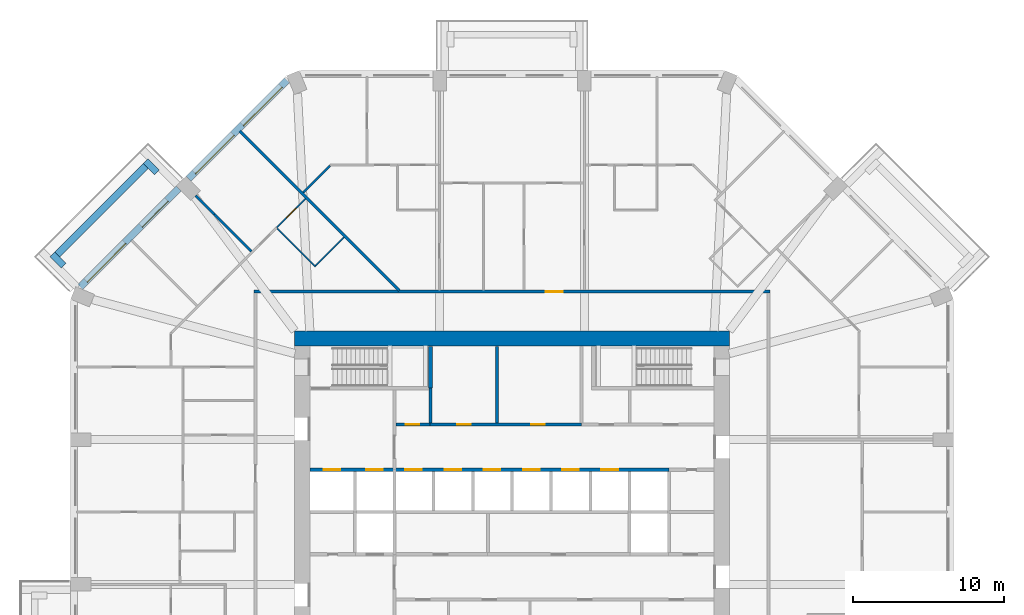
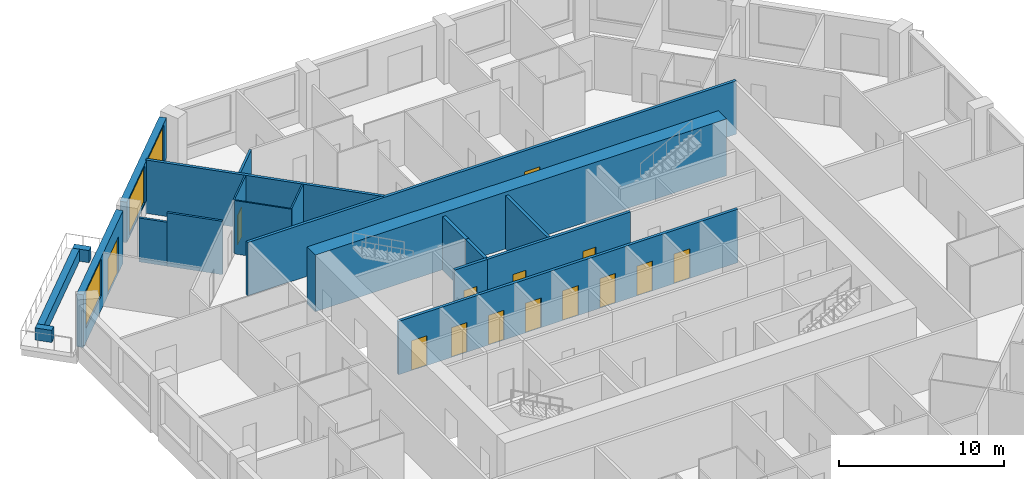
# One storey, part 8 of 13: 20 walls, 14 doors, 3 windows, 17 openings.
"""IFC4 building model written with IfcOpenShell, lengths in metres."""

from ifc_helpers import new_model, si_unit, direction, frame, frame_2d, origin, place, context, subcontext, project, spatial, rectangle, extrude, material, layer, layer_set, type_object, element, fill, save


model = new_model("IFC4")

# Units and contexts
model_context = context("Model", 3, precision=1e-05, world=origin(), true_north=direction((0.0, 1.0)))
body_context = subcontext(model_context, "Body", "Model", "MODEL_VIEW")
ifc_project = project(units=[si_unit("LENGTHUNIT", "METRE"), si_unit("AREAUNIT", "SQUARE_METRE"), si_unit("VOLUMEUNIT", "CUBIC_METRE"), si_unit("PLANEANGLEUNIT", "RADIAN"), si_unit("MASSUNIT", "GRAM", prefix="KILO")], contexts=[model_context])

# Site, building, storey
site_placement = place(None, origin())
site = spatial("IfcSite", under=ifc_project, at=site_placement, CompositionType="ELEMENT")
building_placement = place(site_placement, origin())
building = spatial("IfcBuilding", under=site, at=building_placement, Name="Msitu Wima Residences", CompositionType="ELEMENT")
storey_placement = place(building_placement, frame((0.0, 0.0, 84.300048828125)))
storey = spatial("IfcBuildingStorey", under=building, at=storey_placement, Name="L19", CompositionType="ELEMENT", Elevation=84.300048828125)

# Walls
ifc_material_1 = material(Name="Facing brick")
ifc_layer_1 = layer(ifc_material_1, 0.06494140625, Name="Facing brick")
ifc_material_2 = material(Name="Concrete C40/50", Category="concrete")
ifc_layer_2 = layer(ifc_material_2, 0.156005859375, Name="Concrete C40/50")
ifc_material_3 = material(Name="Waterproofing membrane")
ifc_layer_3 = layer(ifc_material_3, 0.00390625, Name="Waterproofing membrane")
ifc_material_4 = material(Name="Planting soil and planting")
ifc_layer_4 = layer(ifc_material_4, 0.22509765625, Name="Planting soil and planting")
ifc_layer_set_1 = layer_set([ifc_layer_1, ifc_layer_2, ifc_layer_3, ifc_layer_4], Name="Concrete C40/50")
wall_type_1 = type_object("IfcWallType", Name="Balcony planter PLANTER PL450", PredefinedType="USERDEFINED", material=ifc_layer_set_1)
wall_1_placement = place(storey_placement, frame((-24.269287109375, 22.92578125, 0.0), z_axis=(0.0, 0.0, 1.0), x_axis=(-0.707106781187, -0.707106781187, 0.0)))
element("IfcWall", 1, at=wall_1_placement, inside=storey, type_object=wall_type_1, Name="Balcony planter NW1 L19", ObjectType="PLANTER", PredefinedType="USERDEFINED", context=body_context, shape_type="SweptSolid", body=[
    extrude(rectangle(XDim=8.2822265625, YDim=0.449951171875, at=frame_2d((4.14111328125, 0.0))), origin(), (0.0, 0.0, 1.0), 0.89990234375),
])
for number, where, z_axis, x_axis, name in (
    (2, (-23.52685546875, 22.50146484375, 0.0), (0.0, 0.0, 1.0), (-0.706990528533, 0.707223014731, 0.0), "Balcony planter NW1 L19"),
    (3, (-29.70166015625, 16.326904296875, 0.0), (0.0, 0.0, 1.0), (-0.707106781187, 0.707106781187, 0.0), "Balcony planter NW1 L19"),
):
    element("IfcWall", number, at=place(storey_placement, frame(where, z_axis=z_axis, x_axis=x_axis)), inside=storey, type_object=wall_type_1, Name=name, ObjectType="PLANTER", PredefinedType="USERDEFINED", context=body_context, shape_type="SweptSolid", body=[
        extrude(rectangle(XDim=1.050048828125, YDim=0.449951171875, at=frame_2d((0.52490234375, 0.0))), origin(), (0.0, 0.0, 1.0), 0.89990234375),
    ])

# Wall, openings, windows
ifc_material_5 = material(Name="Brick (red buff mix)", Category="masonry")
ifc_layer_5 = layer(ifc_material_5, 0.449951171875)
ifc_layer_set_2 = layer_set([ifc_layer_5], Name="Brick (red buff mix)")
wall_type_2 = type_object("IfcWallType", Name="Brick infill wall BW450", PredefinedType="SOLIDWALL", material=ifc_layer_set_2)
wall_2_placement = place(storey_placement, frame((-14.903564453125, 28.61474609375, 0.89990234375), z_axis=(0.0, 0.0, 1.0), x_axis=(-0.707106781187, -0.707106781187, 0.0)))
wall_2 = element("IfcWall", 4, at=wall_2_placement, inside=storey, type_object=wall_type_2, Name="Brick infill wall L19 NW0", PredefinedType="SOLIDWALL", context=body_context, shape_type="SweptSolid", body=[
    extrude(rectangle(XDim=9.2451171875, YDim=0.449951171875, at=frame_2d((4.62255859375, 0.0))), origin(), (0.0, 0.0, 1.0), 3.0),
])
opening_1_placement = place(wall_2_placement, frame((0.572509765625, 0.0, 0.14990234375)))
opening_1 = element("IfcOpeningElement", 5, at=opening_1_placement, cuts=wall_2, Name="Opening W18-20.014", PredefinedType="OPENING", context=body_context, shape_type="SweptSolid", body=[
    extrude(rectangle(XDim=3.60009765625, YDim=2.699951171875, at=frame_2d((1.800048828125, 1.35009765625))), frame((0.0, 0.23486328125, 0.0), z_axis=(0.0, -1.0, 0.0), x_axis=(1.0, 0.0, 0.0)), (0.0, 0.0, 1.0), 0.469970703125),
])
opening_2_placement = place(wall_2_placement, frame((5.072509765625, 0.0, 0.14990234375)))
opening_2 = element("IfcOpeningElement", 6, at=opening_2_placement, cuts=wall_2, Name="Opening W18-20.015", PredefinedType="OPENING", context=body_context, shape_type="SweptSolid", body=[
    extrude(rectangle(XDim=3.60009765625, YDim=2.699951171875, at=frame_2d((1.800048828125, 1.35009765625))), frame((0.0, 0.23486328125, 0.0), z_axis=(0.0, -1.0, 0.0), x_axis=(1.0, 0.0, 0.0)), (0.0, 0.0, 1.0), 0.469970703125),
])
ifc_material_6 = material(Name="Anodised aluminium, bronze finish, clear low-emissivity double glazing", Category="aluminium")
window_type = type_object("IfcWindowType", Name="Window W3600x2700", PartitioningType="DOUBLE_PANEL_VERTICAL", PredefinedType="WINDOW", material=ifc_material_6)
window_1_placement = place(opening_1_placement, origin())
window_1 = element("IfcWindow", 7, at=window_1_placement, inside=storey, type_object=window_type, Name="Window L19 NW0.1", OverallHeight=2.699951171875, OverallWidth=3.60009765625, PartitioningType="SINGLE_PANEL", PredefinedType="WINDOW", context=body_context, shape_type="SweptSolid", body=[
    extrude(rectangle(XDim=3.60009765625, YDim=2.699951171875, at=frame_2d((1.800048828125, 1.35009765625))), frame((0.0, 0.135009765625, 0.0), z_axis=(0.0, -1.0, 0.0), x_axis=(1.0, 0.0, 0.0)), (0.0, 0.0, 1.0), 0.06005859375),
])
fill(opening_1, window_1)
window_2_placement = place(opening_2_placement, origin())
window_2 = element("IfcWindow", 8, at=window_2_placement, inside=storey, type_object=window_type, Name="Window L19 NW0.2", OverallHeight=2.699951171875, OverallWidth=3.60009765625, PartitioningType="SINGLE_PANEL", PredefinedType="WINDOW", context=body_context, shape_type="SweptSolid", body=[
    extrude(rectangle(XDim=3.60009765625, YDim=2.699951171875, at=frame_2d((1.800048828125, 1.35009765625))), frame((0.0, 0.135009765625, 0.0), z_axis=(0.0, -1.0, 0.0), x_axis=(1.0, 0.0, 0.0)), (0.0, 0.0, 1.0), 0.06005859375),
])
fill(opening_2, window_2)

# Wall, openings, door, window
wall_3_placement = place(storey_placement, frame((-22.077392578125, 21.44091796875, 0.0), z_axis=(0.0, 0.0, 1.0), x_axis=(-0.707106781187, -0.707106781187, 0.0)))
wall_3 = element("IfcWall", 9, at=wall_3_placement, inside=storey, type_object=wall_type_2, Name="Brick infill wall L19 NW1", PredefinedType="SOLIDWALL", context=body_context, shape_type="SweptSolid", body=[
    extrude(rectangle(XDim=9.2451171875, YDim=0.449951171875, at=frame_2d((4.62255859375, 0.0))), origin(), (0.0, 0.0, 1.0), 3.89990234375),
])
opening_3_placement = place(wall_3_placement, frame((1.111328125, 0.0, 0.0)))
opening_3 = element("IfcOpeningElement", 10, at=opening_3_placement, cuts=wall_3, Name="Opening D18-20.004", PredefinedType="OPENING", context=body_context, shape_type="SweptSolid", body=[
    extrude(rectangle(XDim=2.39990234375, YDim=2.699951171875, at=frame_2d((1.199951171875, 1.35009765625))), frame((0.0, 0.23486328125, 0.0), z_axis=(0.0, -1.0, 0.0), x_axis=(1.0, 0.0, 0.0)), (0.0, 0.0, 1.0), 0.469970703125),
])
opening_4_placement = place(wall_3_placement, frame((5.072509765625, 0.0, 1.050048828125)))
opening_4 = element("IfcOpeningElement", 11, at=opening_4_placement, cuts=wall_3, Name="Opening W18-20.016", PredefinedType="OPENING", context=body_context, shape_type="SweptSolid", body=[
    extrude(rectangle(XDim=3.60009765625, YDim=2.699951171875, at=frame_2d((1.800048828125, 1.35009765625))), frame((0.0, 0.23486328125, 0.0), z_axis=(0.0, -1.0, 0.0), x_axis=(1.0, 0.0, 0.0)), (0.0, 0.0, 1.0), 0.469970703125),
])
door_type_1 = type_object("IfcDoorType", Name="Balcony door D2400x2700", OperationType="SLIDING_TO_LEFT", PredefinedType="DOOR", material=ifc_material_6)
door_1_placement = place(opening_3_placement, origin())
door_1 = element("IfcDoor", 12, at=door_1_placement, inside=storey, type_object=door_type_1, Name="Balcony door L19 NW1", OperationType="SINGLE_SWING_LEFT", OverallHeight=2.699951171875, OverallWidth=2.39990234375, PredefinedType="DOOR", context=body_context, shape_type="SweptSolid", body=[
    extrude(rectangle(XDim=2.39990234375, YDim=2.699951171875, at=frame_2d((1.199951171875, 1.35009765625))), frame((0.0, 0.1298828125, 0.0), z_axis=(0.0, -1.0, 0.0), x_axis=(1.0, 0.0, 0.0)), (0.0, 0.0, 1.0), 0.050048828125),
])
fill(opening_3, door_1)
window_3_placement = place(opening_4_placement, origin())
window_3 = element("IfcWindow", 13, at=window_3_placement, inside=storey, type_object=window_type, Name="Window L19 NW1.2", OverallHeight=2.699951171875, OverallWidth=3.60009765625, PartitioningType="SINGLE_PANEL", PredefinedType="WINDOW", context=body_context, shape_type="SweptSolid", body=[
    extrude(rectangle(XDim=3.60009765625, YDim=2.699951171875, at=frame_2d((1.800048828125, 1.35009765625))), frame((0.0, 0.135009765625, 0.0), z_axis=(0.0, -1.0, 0.0), x_axis=(1.0, 0.0, 0.0)), (0.0, 0.0, 1.0), 0.06005859375),
])
fill(opening_4, window_3)

# Wall
ifc_material_7 = material(Name="Concrete C80/95", Category="concrete")
ifc_layer_6 = layer(ifc_material_7, 1.0)
ifc_layer_set_3 = layer_set([ifc_layer_6], Name="Concrete C80/95")
wall_type_3 = type_object("IfcWallType", Name="Core wall CW1000 C80/95", PredefinedType="SHEAR", material=ifc_layer_set_3)
wall_4_placement = place(storey_placement, frame((-14.39990234375, 11.5, 0.0), z_axis=(0.0, 0.0, 1.0), x_axis=(1.0, 0.0, 0.0)))
element("IfcWall", 14, at=wall_4_placement, inside=storey, type_object=wall_type_3, Name="Core wall", PredefinedType="SHEAR", context=body_context, shape_type="SweptSolid", body=[
    extrude(rectangle(XDim=28.7998046875, YDim=1.0, at=frame_2d((14.39990234375, 0.0))), origin(), (0.0, 0.0, 1.0), 4.199951171875),
])

# Wall, opening, door
ifc_material_8 = material(Name="Plaster")
ifc_layer_7 = layer(ifc_material_8, 0.011962890625, Name="Plaster")
ifc_material_9 = material(Name="Concrete blockwork", Category="masonry")
ifc_layer_8 = layer(ifc_material_9, 0.176025390625, Name="Concrete blockwork")
ifc_layer_9 = layer(ifc_material_8, 0.011962890625, Name="Plaster")
ifc_layer_set_4 = layer_set([ifc_layer_7, ifc_layer_8, ifc_layer_9], Name="Concrete blockwork")
wall_type_4 = type_object("IfcWallType", Name="Corridor wall FW200", PredefinedType="PARTITIONING", material=ifc_layer_set_4)
wall_5_placement = place(storey_placement, frame((-17.10009765625, 14.60009765625, 0.0), z_axis=(0.0, 0.0, 1.0), x_axis=(1.0, 0.0, 0.0)))
wall_5 = element("IfcWall", 15, at=wall_5_placement, inside=storey, type_object=wall_type_4, Name="Corridor wall", PredefinedType="PARTITIONING", context=body_context, shape_type="SweptSolid", body=[
    extrude(rectangle(XDim=34.2001953125, YDim=0.199951171875, at=frame_2d((17.10009765625, 0.0))), origin(), (0.0, 0.0, 1.0), 3.949951171875),
])
opening_5_placement = place(wall_5_placement, frame((19.35009765625, 0.0, 0.0)))
opening_5 = element("IfcOpeningElement", 16, at=opening_5_placement, cuts=wall_5, Name="Opening D18-20.008", PredefinedType="OPENING", context=body_context, shape_type="SweptSolid", body=[
    extrude(rectangle(XDim=1.10009765625, YDim=2.39990234375, at=frame_2d((0.550048828125, 1.199951171875))), frame((0.0, 0.10986328125, 0.0), z_axis=(0.0, -1.0, 0.0), x_axis=(1.0, 0.0, 0.0)), (0.0, 0.0, 1.0), 0.219970703125),
])
ifc_material_10 = material(Name="Timber flush door, fire resisting, self-closing", Category="wood")
door_type_2 = type_object("IfcDoorType", Name="Flat entrance door D01 1100x2400", OperationType="SINGLE_SWING_LEFT", PredefinedType="DOOR", material=ifc_material_10)
door_2_placement = place(opening_5_placement, origin())
door_2 = element("IfcDoor", 17, at=door_2_placement, inside=storey, type_object=door_type_2, Name="Flat entrance door", OperationType="SINGLE_SWING_RIGHT", OverallHeight=2.39990234375, OverallWidth=1.10009765625, PredefinedType="DOOR", context=body_context, shape_type="SweptSolid", body=[
    extrude(rectangle(XDim=1.10009765625, YDim=2.39990234375, at=frame_2d((0.550048828125, 1.199951171875))), frame((0.0, 0.02490234375, 0.0), z_axis=(0.0, -1.0, 0.0), x_axis=(1.0, 0.0, 0.0)), (0.0, 0.0, 1.0), 0.050048828125),
])
fill(opening_5, door_2)

wall_6_placement = place(storey_placement, frame((-7.699951171875, 5.800048828125, 0.0), z_axis=(0.0, 0.0, 1.0), x_axis=(1.0, 0.0, 0.0)))
wall_6 = element("IfcWall", 18, at=wall_6_placement, inside=storey, type_object=wall_type_4, Name="Corridor wall", PredefinedType="PARTITIONING", context=body_context, shape_type="SweptSolid", body=[
    extrude(rectangle(XDim=2.280029296875, YDim=0.199951171875, at=frame_2d((1.14013671875, 0.0))), origin(), (0.0, 0.0, 1.0), 3.949951171875),
])
opening_6_placement = place(wall_6_placement, frame((0.64990234375, 0.0, 0.0)))
opening_6 = element("IfcOpeningElement", 19, at=opening_6_placement, cuts=wall_6, Name="Opening D18-20.016", PredefinedType="OPENING", context=body_context, shape_type="SweptSolid", body=[
    extrude(rectangle(XDim=0.89990234375, YDim=2.199951171875, at=frame_2d((0.449951171875, 1.10009765625))), frame((0.0, 0.10986328125, 0.0), z_axis=(0.0, -1.0, 0.0), x_axis=(1.0, 0.0, 0.0)), (0.0, 0.0, 1.0), 0.219970703125),
])
ifc_material_11 = material(Name="Timber flush door", Category="wood")
door_type_3 = type_object("IfcDoorType", Name="Service door D05 900x2200", OperationType="SINGLE_SWING_LEFT", PredefinedType="DOOR", material=ifc_material_11)
door_3_placement = place(opening_6_placement, origin())
door_3 = element("IfcDoor", 20, at=door_3_placement, inside=storey, type_object=door_type_3, Name="Service door", OperationType="SINGLE_SWING_LEFT", OverallHeight=2.199951171875, OverallWidth=0.89990234375, PredefinedType="DOOR", context=body_context, shape_type="SweptSolid", body=[
    extrude(rectangle(XDim=0.89990234375, YDim=2.199951171875, at=frame_2d((0.449951171875, 1.10009765625))), frame((0.0, 0.02490234375, 0.0), z_axis=(0.0, -1.0, 0.0), x_axis=(1.0, 0.0, 0.0)), (0.0, 0.0, 1.0), 0.050048828125),
])
fill(opening_6, door_3)

# Walls
ifc_layer_10 = layer(ifc_material_8, 0.011962890625, Name="Plaster")
ifc_layer_11 = layer(ifc_material_9, 0.1259765625, Name="Concrete blockwork")
ifc_layer_12 = layer(ifc_material_8, 0.011962890625, Name="Plaster")
ifc_layer_set_5 = layer_set([ifc_layer_10, ifc_layer_11, ifc_layer_12], Name="Concrete blockwork")
wall_type_5 = type_object("IfcWallType", Name="Partition PW150", PredefinedType="PARTITIONING", material=ifc_layer_set_5)
wall_7_placement = place(storey_placement, frame((-20.963623046875, 20.963623046875, 0.0), z_axis=(0.0, 0.0, 1.0), x_axis=(0.707106781187, -0.707106781187, 0.0)))
element("IfcWall", 21, at=wall_7_placement, inside=storey, type_object=wall_type_5, Name="Partition", PredefinedType="PARTITIONING", context=body_context, shape_type="SweptSolid", body=[
    extrude(rectangle(XDim=1.74853515625, YDim=0.14990234375, at=frame_2d((0.874267578125, 0.0))), origin(), (0.0, 0.0, 1.0), 3.25),
])
wall_8_placement = place(storey_placement, frame((-19.727294921875, 19.727294921875, 0.0), z_axis=(0.0, 0.0, 1.0), x_axis=(0.707106781187, -0.707106781187, 0.0)))
element("IfcWall", 22, at=wall_8_placement, inside=storey, type_object=wall_type_5, Name="Partition", PredefinedType="PARTITIONING", context=body_context, shape_type="SweptSolid", body=[
    extrude(rectangle(XDim=3.4765625, YDim=0.14990234375, at=frame_2d((1.73828125, 0.0))), origin(), (0.0, 0.0, 1.0), 3.949951171875),
])
wall_9_placement = place(storey_placement, frame((-13.828125, 21.16943359375, 0.0), z_axis=(0.0, 0.0, 1.0), x_axis=(0.707106781187, 0.707106781187, 0.0)))
element("IfcWall", 23, at=wall_9_placement, inside=storey, type_object=wall_type_5, Name="Partition", PredefinedType="PARTITIONING", context=body_context, shape_type="SweptSolid", body=[
    extrude(rectangle(XDim=2.513916015625, YDim=0.14990234375, at=frame_2d((1.2568359375, 0.0))), origin(), (0.0, 0.0, 1.0), 3.949951171875),
])
ifc_layer_13 = layer(ifc_material_8, 0.011962890625, Name="Plaster")
ifc_material_12 = material(Name="Dense concrete blockwork", Category="masonry")
ifc_layer_14 = layer(ifc_material_12, 0.176025390625, Name="Dense concrete blockwork")
ifc_layer_15 = layer(ifc_material_8, 0.011962890625, Name="Plaster")
ifc_layer_set_6 = layer_set([ifc_layer_13, ifc_layer_14, ifc_layer_15], Name="Dense concrete blockwork")
wall_type_6 = type_object("IfcWallType", Name="Party wall PW200", PredefinedType="PARTITIONING", material=ifc_layer_set_6)
wall_10_placement = place(storey_placement, frame((-18.038818359375, 25.23876953125, 0.0), z_axis=(0.0, 0.0, 1.0), x_axis=(0.707106781187, -0.707106781187, 0.0)))
element("IfcWall", 24, at=wall_10_placement, inside=storey, type_object=wall_type_6, Name="Party wall", PredefinedType="PARTITIONING", context=body_context, shape_type="SweptSolid", body=[
    extrude(rectangle(XDim=14.945556640625, YDim=0.199951171875, at=frame_2d((7.47265625, 0.0))), origin(), (0.0, 0.0, 1.0), 3.949951171875),
])

# Wall, openings, doors
ifc_layer_16 = layer(ifc_material_8, 0.011962890625, Name="Plaster")
ifc_material_13 = material(Name="Reinforced concrete blockwork", Category="masonry")
ifc_layer_17 = layer(ifc_material_13, 0.176025390625, Name="Reinforced concrete blockwork")
ifc_layer_18 = layer(ifc_material_8, 0.011962890625, Name="Plaster")
ifc_layer_set_7 = layer_set([ifc_layer_16, ifc_layer_17, ifc_layer_18], Name="Reinforced concrete blockwork")
wall_type_7 = type_object("IfcWallType", Name="Plant and riser wall PL200", PredefinedType="PARTITIONING", material=ifc_layer_set_7)
wall_11_placement = place(storey_placement, frame((-5.419921875, 5.800048828125, 0.0), z_axis=(0.0, 0.0, 1.0), x_axis=(1.0, 0.0, 0.0)))
wall_11 = element("IfcWall", 25, at=wall_11_placement, inside=storey, type_object=wall_type_7, Name="Plant and riser wall", PredefinedType="PARTITIONING", context=body_context, shape_type="SweptSolid", body=[
    extrude(rectangle(XDim=10.0400390625, YDim=0.199951171875, at=frame_2d((5.02001953125, 0.0))), origin(), (0.0, 0.0, 1.0), 3.949951171875),
])
opening_7_placement = place(wall_11_placement, frame((1.800048828125, 0.0, 0.0)))
opening_7 = element("IfcOpeningElement", 26, at=opening_7_placement, cuts=wall_11, Name="Opening D18-20.017", PredefinedType="OPENING", context=body_context, shape_type="SweptSolid", body=[
    extrude(rectangle(XDim=0.89990234375, YDim=2.199951171875, at=frame_2d((0.449951171875, 1.10009765625))), frame((0.0, 0.10986328125, 0.0), z_axis=(0.0, -1.0, 0.0), x_axis=(1.0, 0.0, 0.0)), (0.0, 0.0, 1.0), 0.219970703125),
])
opening_8_placement = place(wall_11_placement, frame((6.699951171875, 0.0, 0.0)))
opening_8 = element("IfcOpeningElement", 27, at=opening_8_placement, cuts=wall_11, Name="Opening D18-20.018", PredefinedType="OPENING", context=body_context, shape_type="SweptSolid", body=[
    extrude(rectangle(XDim=0.89990234375, YDim=2.199951171875, at=frame_2d((0.449951171875, 1.10009765625))), frame((0.0, 0.10986328125, 0.0), z_axis=(0.0, -1.0, 0.0), x_axis=(1.0, 0.0, 0.0)), (0.0, 0.0, 1.0), 0.219970703125),
])
door_4_placement = place(opening_7_placement, origin())
door_4 = element("IfcDoor", 28, at=door_4_placement, inside=storey, type_object=door_type_3, Name="Service door", OperationType="SINGLE_SWING_RIGHT", OverallHeight=2.199951171875, OverallWidth=0.89990234375, PredefinedType="DOOR", context=body_context, shape_type="SweptSolid", body=[
    extrude(rectangle(XDim=0.89990234375, YDim=2.199951171875, at=frame_2d((0.449951171875, 1.10009765625))), frame((0.0, 0.02490234375, 0.0), z_axis=(0.0, -1.0, 0.0), x_axis=(1.0, 0.0, 0.0)), (0.0, 0.0, 1.0), 0.050048828125),
])
fill(opening_7, door_4)
door_5_placement = place(opening_8_placement, origin())
door_5 = element("IfcDoor", 29, at=door_5_placement, inside=storey, type_object=door_type_3, Name="Service door", OperationType="SINGLE_SWING_LEFT", OverallHeight=2.199951171875, OverallWidth=0.89990234375, PredefinedType="DOOR", context=body_context, shape_type="SweptSolid", body=[
    extrude(rectangle(XDim=0.89990234375, YDim=2.199951171875, at=frame_2d((0.449951171875, 1.10009765625))), frame((0.0, 0.02490234375, 0.0), z_axis=(0.0, -1.0, 0.0), x_axis=(1.0, 0.0, 0.0)), (0.0, 0.0, 1.0), 0.050048828125),
])
fill(opening_8, door_5)

# Walls
wall_12_placement = place(storey_placement, frame((-5.39990234375, 5.89990234375, 0.0), z_axis=(0.0, 0.0, 1.0), x_axis=(0.0, 1.0, 0.0)))
element("IfcWall", 30, at=wall_12_placement, inside=storey, type_object=wall_type_7, Name="Plant and riser wall", PredefinedType="PARTITIONING", context=body_context, shape_type="SweptSolid", body=[
    extrude(rectangle(XDim=2.300048828125, YDim=0.199951171875, at=frame_2d((1.14990234375, 0.0))), origin(), (0.0, 0.0, 1.0), 3.949951171875),
])
wall_13_placement = place(storey_placement, frame((-1.0, 5.89990234375, 0.0), z_axis=(0.0, 0.0, 1.0), x_axis=(0.0, 1.0, 0.0)))
element("IfcWall", 31, at=wall_13_placement, inside=storey, type_object=wall_type_7, Name="Plant and riser wall", PredefinedType="PARTITIONING", context=body_context, shape_type="SweptSolid", body=[
    extrude(rectangle(XDim=5.070068359375, YDim=0.199951171875, at=frame_2d((2.53515625, 0.0))), origin(), (0.0, 0.0, 1.0), 3.949951171875),
])

# Wall, openings, doors
ifc_material_14 = material(Name="Fire-rated board")
ifc_layer_19 = layer(ifc_material_14, 0.02490234375, Name="Fire-rated board")
ifc_material_15 = material(Name="Light-gauge stud framing with mineral wool")
ifc_layer_20 = layer(ifc_material_15, 0.14990234375, Name="Light-gauge stud framing with mineral wool")
ifc_layer_21 = layer(ifc_material_14, 0.02490234375, Name="Fire-rated board")
ifc_layer_set_8 = layer_set([ifc_layer_19, ifc_layer_20, ifc_layer_21], Name="Light-gauge stud framing with mineral wool")
wall_type_8 = type_object("IfcWallType", Name="Shaft wall SH200", PredefinedType="PARTITIONING", material=ifc_layer_set_8)
wall_14_placement = place(storey_placement, frame((-13.3701171875, 2.800048828125, 0.0), z_axis=(0.0, 0.0, 1.0), x_axis=(1.0, 0.0, 0.0)))
wall_14 = element("IfcWall", 32, at=wall_14_placement, inside=storey, type_object=wall_type_8, Name="Shaft wall", PredefinedType="PARTITIONING", context=body_context, shape_type="SweptSolid", body=[
    extrude(rectangle(XDim=23.77001953125, YDim=0.199951171875, at=frame_2d((11.885009765625, 0.0))), origin(), (0.0, 0.0, 1.0), 3.949951171875),
])
opening_9_placement = place(wall_14_placement, frame((0.89990234375, 0.0, 0.0)))
opening_9 = element("IfcOpeningElement", 33, at=opening_9_placement, cuts=wall_14, Name="Opening LD", PredefinedType="OPENING", context=body_context, shape_type="SweptSolid", body=[
    extrude(rectangle(XDim=1.10009765625, YDim=2.199951171875, at=frame_2d((0.550048828125, 1.10009765625))), frame((0.0, 0.10986328125, 0.0), z_axis=(0.0, -1.0, 0.0), x_axis=(1.0, 0.0, 0.0)), (0.0, 0.0, 1.0), 0.219970703125),
])
opening_10_placement = place(wall_14_placement, frame((3.699951171875, 0.0, 0.0)))
opening_10 = element("IfcOpeningElement", 34, at=opening_10_placement, cuts=wall_14, Name="Opening LD", PredefinedType="OPENING", context=body_context, shape_type="SweptSolid", body=[
    extrude(rectangle(XDim=1.10009765625, YDim=2.199951171875, at=frame_2d((0.550048828125, 1.10009765625))), frame((0.0, 0.10986328125, 0.0), z_axis=(0.0, -1.0, 0.0), x_axis=(1.0, 0.0, 0.0)), (0.0, 0.0, 1.0), 0.219970703125),
])
opening_11_placement = place(wall_14_placement, frame((6.300048828125, 0.0, 0.0)))
opening_11 = element("IfcOpeningElement", 35, at=opening_11_placement, cuts=wall_14, Name="Opening LD", PredefinedType="OPENING", context=body_context, shape_type="SweptSolid", body=[
    extrude(rectangle(XDim=1.10009765625, YDim=2.199951171875, at=frame_2d((0.550048828125, 1.10009765625))), frame((0.0, 0.10986328125, 0.0), z_axis=(0.0, -1.0, 0.0), x_axis=(1.0, 0.0, 0.0)), (0.0, 0.0, 1.0), 0.219970703125),
])
opening_12_placement = place(wall_14_placement, frame((8.89990234375, 0.0, 0.0)))
opening_12 = element("IfcOpeningElement", 36, at=opening_12_placement, cuts=wall_14, Name="Opening LD", PredefinedType="OPENING", context=body_context, shape_type="SweptSolid", body=[
    extrude(rectangle(XDim=1.10009765625, YDim=2.199951171875, at=frame_2d((0.550048828125, 1.10009765625))), frame((0.0, 0.10986328125, 0.0), z_axis=(0.0, -1.0, 0.0), x_axis=(1.0, 0.0, 0.0)), (0.0, 0.0, 1.0), 0.219970703125),
])
opening_13_placement = place(wall_14_placement, frame((11.5, 0.0, 0.0)))
opening_13 = element("IfcOpeningElement", 37, at=opening_13_placement, cuts=wall_14, Name="Opening LD", PredefinedType="OPENING", context=body_context, shape_type="SweptSolid", body=[
    extrude(rectangle(XDim=1.10009765625, YDim=2.199951171875, at=frame_2d((0.550048828125, 1.10009765625))), frame((0.0, 0.10986328125, 0.0), z_axis=(0.0, -1.0, 0.0), x_axis=(1.0, 0.0, 0.0)), (0.0, 0.0, 1.0), 0.219970703125),
])
opening_14_placement = place(wall_14_placement, frame((14.10009765625, 0.0, 0.0)))
opening_14 = element("IfcOpeningElement", 38, at=opening_14_placement, cuts=wall_14, Name="Opening LD", PredefinedType="OPENING", context=body_context, shape_type="SweptSolid", body=[
    extrude(rectangle(XDim=1.10009765625, YDim=2.199951171875, at=frame_2d((0.550048828125, 1.10009765625))), frame((0.0, 0.10986328125, 0.0), z_axis=(0.0, -1.0, 0.0), x_axis=(1.0, 0.0, 0.0)), (0.0, 0.0, 1.0), 0.219970703125),
])
opening_15_placement = place(wall_14_placement, frame((16.699951171875, 0.0, 0.0)))
opening_15 = element("IfcOpeningElement", 39, at=opening_15_placement, cuts=wall_14, Name="Opening LD", PredefinedType="OPENING", context=body_context, shape_type="SweptSolid", body=[
    extrude(rectangle(XDim=1.10009765625, YDim=2.199951171875, at=frame_2d((0.550048828125, 1.10009765625))), frame((0.0, 0.10986328125, 0.0), z_axis=(0.0, -1.0, 0.0), x_axis=(1.0, 0.0, 0.0)), (0.0, 0.0, 1.0), 0.219970703125),
])
opening_16_placement = place(wall_14_placement, frame((19.300048828125, 0.0, 0.0)))
opening_16 = element("IfcOpeningElement", 40, at=opening_16_placement, cuts=wall_14, Name="Opening LD", PredefinedType="OPENING", context=body_context, shape_type="SweptSolid", body=[
    extrude(rectangle(XDim=1.10009765625, YDim=2.199951171875, at=frame_2d((0.550048828125, 1.10009765625))), frame((0.0, 0.10986328125, 0.0), z_axis=(0.0, -1.0, 0.0), x_axis=(1.0, 0.0, 0.0)), (0.0, 0.0, 1.0), 0.219970703125),
])
ifc_material_16 = material(Name="Stainless steel centre-opening landing door, rated", Category="steel")
door_type_4 = type_object("IfcDoorType", Name="Lift landing door LD 1100x2200", OperationType="DOUBLE_DOOR_SLIDING", PredefinedType="DOOR", material=ifc_material_16)
door_6_placement = place(opening_9_placement, origin())
door_6 = element("IfcDoor", 41, at=door_6_placement, inside=storey, type_object=door_type_4, Name="Lift landing door LD1", OperationType="DOUBLE_DOOR_SLIDING", OverallHeight=2.199951171875, OverallWidth=1.10009765625, PredefinedType="DOOR", context=body_context, shape_type="SweptSolid", body=[
    extrude(rectangle(XDim=1.10009765625, YDim=2.199951171875, at=frame_2d((0.550048828125, 1.10009765625))), frame((0.0, 0.02490234375, 0.0), z_axis=(0.0, -1.0, 0.0), x_axis=(1.0, 0.0, 0.0)), (0.0, 0.0, 1.0), 0.050048828125),
])
fill(opening_9, door_6)
door_7_placement = place(opening_10_placement, origin())
door_7 = element("IfcDoor", 42, at=door_7_placement, inside=storey, type_object=door_type_4, Name="Lift landing door LD2", OperationType="DOUBLE_DOOR_SLIDING", OverallHeight=2.199951171875, OverallWidth=1.10009765625, PredefinedType="DOOR", context=body_context, shape_type="SweptSolid", body=[
    extrude(rectangle(XDim=1.10009765625, YDim=2.199951171875, at=frame_2d((0.550048828125, 1.10009765625))), frame((0.0, 0.02490234375, 0.0), z_axis=(0.0, -1.0, 0.0), x_axis=(1.0, 0.0, 0.0)), (0.0, 0.0, 1.0), 0.050048828125),
])
fill(opening_10, door_7)
door_8_placement = place(opening_11_placement, origin())
door_8 = element("IfcDoor", 43, at=door_8_placement, inside=storey, type_object=door_type_4, Name="Lift landing door LD4", OperationType="DOUBLE_DOOR_SLIDING", OverallHeight=2.199951171875, OverallWidth=1.10009765625, PredefinedType="DOOR", context=body_context, shape_type="SweptSolid", body=[
    extrude(rectangle(XDim=1.10009765625, YDim=2.199951171875, at=frame_2d((0.550048828125, 1.10009765625))), frame((0.0, 0.02490234375, 0.0), z_axis=(0.0, -1.0, 0.0), x_axis=(1.0, 0.0, 0.0)), (0.0, 0.0, 1.0), 0.050048828125),
])
fill(opening_11, door_8)
door_9_placement = place(opening_12_placement, origin())
door_9 = element("IfcDoor", 44, at=door_9_placement, inside=storey, type_object=door_type_4, Name="Lift landing door LD6", OperationType="DOUBLE_DOOR_SLIDING", OverallHeight=2.199951171875, OverallWidth=1.10009765625, PredefinedType="DOOR", context=body_context, shape_type="SweptSolid", body=[
    extrude(rectangle(XDim=1.10009765625, YDim=2.199951171875, at=frame_2d((0.550048828125, 1.10009765625))), frame((0.0, 0.02490234375, 0.0), z_axis=(0.0, -1.0, 0.0), x_axis=(1.0, 0.0, 0.0)), (0.0, 0.0, 1.0), 0.050048828125),
])
fill(opening_12, door_9)
door_10_placement = place(opening_13_placement, origin())
door_10 = element("IfcDoor", 45, at=door_10_placement, inside=storey, type_object=door_type_4, Name="Lift landing door LD8", OperationType="DOUBLE_DOOR_SLIDING", OverallHeight=2.199951171875, OverallWidth=1.10009765625, PredefinedType="DOOR", context=body_context, shape_type="SweptSolid", body=[
    extrude(rectangle(XDim=1.10009765625, YDim=2.199951171875, at=frame_2d((0.550048828125, 1.10009765625))), frame((0.0, 0.02490234375, 0.0), z_axis=(0.0, -1.0, 0.0), x_axis=(1.0, 0.0, 0.0)), (0.0, 0.0, 1.0), 0.050048828125),
])
fill(opening_13, door_10)
door_11_placement = place(opening_14_placement, origin())
door_11 = element("IfcDoor", 46, at=door_11_placement, inside=storey, type_object=door_type_4, Name="Lift landing door LD10", OperationType="DOUBLE_DOOR_SLIDING", OverallHeight=2.199951171875, OverallWidth=1.10009765625, PredefinedType="DOOR", context=body_context, shape_type="SweptSolid", body=[
    extrude(rectangle(XDim=1.10009765625, YDim=2.199951171875, at=frame_2d((0.550048828125, 1.10009765625))), frame((0.0, 0.02490234375, 0.0), z_axis=(0.0, -1.0, 0.0), x_axis=(1.0, 0.0, 0.0)), (0.0, 0.0, 1.0), 0.050048828125),
])
fill(opening_14, door_11)
door_12_placement = place(opening_15_placement, origin())
door_12 = element("IfcDoor", 47, at=door_12_placement, inside=storey, type_object=door_type_4, Name="Lift landing door LD12", OperationType="DOUBLE_DOOR_SLIDING", OverallHeight=2.199951171875, OverallWidth=1.10009765625, PredefinedType="DOOR", context=body_context, shape_type="SweptSolid", body=[
    extrude(rectangle(XDim=1.10009765625, YDim=2.199951171875, at=frame_2d((0.550048828125, 1.10009765625))), frame((0.0, 0.02490234375, 0.0), z_axis=(0.0, -1.0, 0.0), x_axis=(1.0, 0.0, 0.0)), (0.0, 0.0, 1.0), 0.050048828125),
])
fill(opening_15, door_12)
door_13_placement = place(opening_16_placement, origin())
door_13 = element("IfcDoor", 48, at=door_13_placement, inside=storey, type_object=door_type_4, Name="Lift landing door LD14", OperationType="DOUBLE_DOOR_SLIDING", OverallHeight=2.199951171875, OverallWidth=1.10009765625, PredefinedType="DOOR", context=body_context, shape_type="SweptSolid", body=[
    extrude(rectangle(XDim=1.10009765625, YDim=2.199951171875, at=frame_2d((0.550048828125, 1.10009765625))), frame((0.0, 0.02490234375, 0.0), z_axis=(0.0, -1.0, 0.0), x_axis=(1.0, 0.0, 0.0)), (0.0, 0.0, 1.0), 0.050048828125),
])
fill(opening_16, door_13)

# Wall
ifc_material_17 = material(Name="Concrete C50/60", Category="concrete")
ifc_layer_22 = layer(ifc_material_17, 0.25)
ifc_layer_set_9 = layer_set([ifc_layer_22], Name="Concrete C50/60")
wall_type_9 = type_object("IfcWallType", Name="Stair enclosure wall SW250", PredefinedType="SHEAR", material=ifc_layer_set_9)
wall_15_placement = place(storey_placement, frame((-5.39990234375, 8.199951171875, 0.0), z_axis=(0.0, 0.0, 1.0), x_axis=(0.0, 1.0, 0.0)))
element("IfcWall", 49, at=wall_15_placement, inside=storey, type_object=wall_type_9, Name="Stair enclosure wall", PredefinedType="SHEAR", context=body_context, shape_type="SweptSolid", body=[
    extrude(rectangle(XDim=2.77001953125, YDim=0.25, at=frame_2d((1.385009765625, 0.0))), origin(), (0.0, 0.0, 1.0), 3.949951171875),
])

# Wall, opening, door
ifc_material_18 = material(Name="Ceramic tiles")
ifc_layer_23 = layer(ifc_material_18, 0.008056640625, Name="Ceramic tiles")
ifc_material_19 = material(Name="Moisture-resistant board")
ifc_layer_24 = layer(ifc_material_19, 0.012451171875, Name="Moisture-resistant board")
ifc_layer_25 = layer(ifc_material_15, 0.06689453125, Name="Light-gauge stud framing with mineral wool")
ifc_layer_26 = layer(ifc_material_19, 0.012451171875, Name="Moisture-resistant board")
ifc_layer_set_10 = layer_set([ifc_layer_23, ifc_layer_24, ifc_layer_25, ifc_layer_26], Name="Light-gauge stud framing with mineral wool")
wall_type_10 = type_object("IfcWallType", Name="Wet wall PW100", PredefinedType="PARTITIONING", material=ifc_layer_set_10)
wall_16_placement = place(storey_placement, frame((-15.581787109375, 18.85009765625, 0.0), z_axis=(0.0, 0.0, 1.0), x_axis=(0.707106781187, 0.707106781187, 0.0)))
wall_16 = element("IfcWall", 50, at=wall_16_placement, inside=storey, type_object=wall_type_10, Name="Wet wall", PredefinedType="PARTITIONING", context=body_context, shape_type="SweptSolid", body=[
    extrude(rectangle(XDim=2.679931640625, YDim=0.10009765625, at=frame_2d((1.33984375, 0.0))), origin(), (0.0, 0.0, 1.0), 3.949951171875),
])
opening_17_placement = place(wall_16_placement, frame((0.89990234375, 0.0, 0.0)))
opening_17 = element("IfcOpeningElement", 51, at=opening_17_placement, cuts=wall_16, Name="Opening D18-20.052", PredefinedType="OPENING", context=body_context, shape_type="SweptSolid", body=[
    extrude(rectangle(XDim=0.89990234375, YDim=2.199951171875, at=frame_2d((0.449951171875, 1.10009765625))), frame((0.0, 0.06005859375, 0.0), z_axis=(0.0, -1.0, 0.0), x_axis=(1.0, 0.0, 0.0)), (0.0, 0.0, 1.0), 0.1201171875),
])
ifc_material_20 = material(Name="Timber flush door, moisture resistant", Category="wood")
door_type_5 = type_object("IfcDoorType", Name="Bathroom door D03 900x2200", OperationType="SINGLE_SWING_LEFT", PredefinedType="DOOR", material=ifc_material_20)
door_14_placement = place(opening_17_placement, origin())
door_14 = element("IfcDoor", 52, at=door_14_placement, inside=storey, type_object=door_type_5, Name="Bathroom door", OperationType="SINGLE_SWING_RIGHT", OverallHeight=2.199951171875, OverallWidth=0.89990234375, PredefinedType="DOOR", context=body_context, shape_type="SweptSolid", body=[
    extrude(rectangle(XDim=0.89990234375, YDim=2.199951171875, at=frame_2d((0.449951171875, 1.10009765625))), frame((0.0, 0.02490234375, 0.0), z_axis=(0.0, -1.0, 0.0), x_axis=(1.0, 0.0, 0.0)), (0.0, 0.0, 1.0), 0.050048828125),
])
fill(opening_17, door_14)

# Walls
wall_17_placement = place(storey_placement, frame((-15.542724609375, 18.782958984375, 0.0), z_axis=(0.0, 0.0, 1.0), x_axis=(0.707106781187, -0.707106781187, 0.0)))
element("IfcWall", 53, at=wall_17_placement, inside=storey, type_object=wall_type_10, Name="Wet wall", PredefinedType="PARTITIONING", context=body_context, shape_type="SweptSolid", body=[
    extrude(rectangle(XDim=3.574951171875, YDim=0.10009765625, at=frame_2d((1.78759765625, 0.0))), origin(), (0.0, 0.0, 1.0), 3.949951171875),
])
wall_18_placement = place(storey_placement, frame((-13.014892578125, 16.325927734375, 0.0), z_axis=(0.0, 0.0, 1.0), x_axis=(0.707106781187, 0.707106781187, 0.0)))
element("IfcWall", 54, at=wall_18_placement, inside=storey, type_object=wall_type_10, Name="Wet wall", PredefinedType="PARTITIONING", context=body_context, shape_type="SweptSolid", body=[
    extrude(rectangle(XDim=2.64990234375, YDim=0.10009765625, at=frame_2d((1.324951171875, 0.0))), origin(), (0.0, 0.0, 1.0), 3.949951171875),
])

save(model, "model.ifc")
